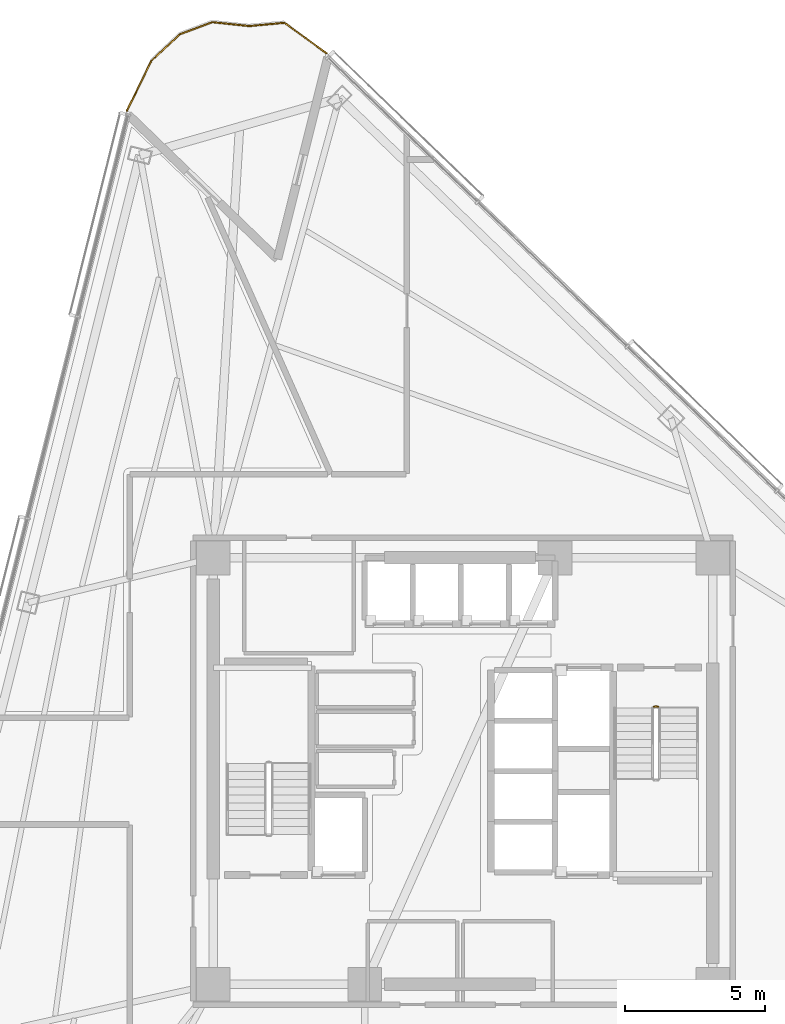
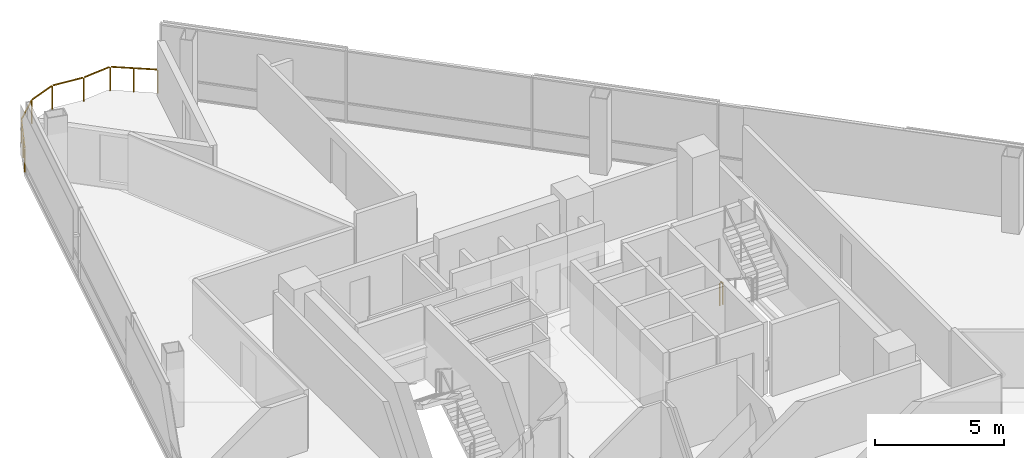
# One storey, part 16 of 16: 2 railings.
"""IFC4 building model written with IfcOpenShell, lengths in metres."""

from ifc_helpers import new_model, si_unit, direction, frame, origin, origin_2d, place, context, subcontext, project, spatial, rectangle, extrude, material, type_object, element, save


model = new_model("IFC4")

# Units and contexts
model_context = context("Model", 3, precision=1e-05, world=origin(), true_north=direction((0.0, 1.0)))
body_context = subcontext(model_context, "Body", "Model", "MODEL_VIEW")
ifc_project = project(units=[si_unit("LENGTHUNIT", "METRE"), si_unit("AREAUNIT", "SQUARE_METRE"), si_unit("VOLUMEUNIT", "CUBIC_METRE"), si_unit("PLANEANGLEUNIT", "RADIAN"), si_unit("MASSUNIT", "GRAM", prefix="KILO")], contexts=[model_context])

# Site, building, storey
site_placement = place(None, origin())
site = spatial("IfcSite", under=ifc_project, at=site_placement, CompositionType="ELEMENT")
building_placement = place(site_placement, origin())
building = spatial("IfcBuilding", under=site, at=building_placement, Name="Tharavind Bronze Gate", CompositionType="ELEMENT")
storey_placement = place(building_placement, frame((0.0, 0.0, 104.10009765625)))
storey = spatial("IfcBuildingStorey", under=building, at=storey_placement, Name="L26", CompositionType="ELEMENT", Elevation=104.10009765625)

# Railings
ifc_material_1 = material(Name="Brushed Bronze Alloy", Category="metal")
railing_type_1 = type_object("IfcRailingType", Name="STAIR WELL GUARD RAILING 1120", PredefinedType="GUARDRAIL", material=ifc_material_1)
railing_1_placement = place(storey_placement, frame((6.800048828125, 2.300048828125, 0.0)))
element("IfcRailing", 1, at=railing_1_placement, inside=storey, type_object=railing_type_1, Name="L26 ST2 stair guard 4", PredefinedType="GUARDRAIL", context=body_context, shape_type="SweptSolid", body=[
    extrude(rectangle(XDim=0.048095703125, YDim=0.048095703125, at=origin_2d()), frame((0.031982421875, 0.0, 1.09619140625), z_axis=(1.0, 0.0, 0.0), x_axis=(0.0, 1.0, 0.0)), (0.0, 0.0, 1.0), 0.0859375),
    extrude(rectangle(XDim=0.0400390625, YDim=0.0400390625, at=origin_2d()), origin(), (0.0, 0.0, 1.0), 1.068115234375),
    extrude(rectangle(XDim=0.0400390625, YDim=0.0400390625, at=origin_2d()), frame((0.14990234375, 0.0, 0.0)), (0.0, 0.0, 1.0), 1.068115234375),
])
ifc_material_2 = material(Name="Bronze Cap & Laminated Glass", Category="glass")
railing_type_2 = type_object("IfcRailingType", Name="TERRACE GLASS GUARD RAILING 1150", PredefinedType="GUARDRAIL", material=ifc_material_2)
railing_2_placement = place(storey_placement, frame((-11.977783203125, 23.548095703125, 0.0)))
element("IfcRailing", 2, at=railing_2_placement, inside=storey, type_object=railing_type_2, Name="L26 tree balcony guard railing", PredefinedType="GUARDRAIL", context=body_context, shape_type="SweptSolid", body=[
    extrude(rectangle(XDim=0.048095703125, YDim=0.048095703125, at=origin_2d()), frame((0.01416015625, 0.02880859375, 1.1259765625), z_axis=(0.441156065907, 0.897430401487, 0.0), x_axis=(-0.897430401487, 0.441156065907, 0.0)), (0.0, 0.0, 1.0), 1.90625),
    extrude(rectangle(XDim=0.048095703125, YDim=0.048095703125, at=origin_2d()), frame((0.892578125, 1.7900390625, 1.1259765625), z_axis=(0.730328135608, 0.683096489772, 0.0), x_axis=(-0.683096489772, 0.730328135608, 0.0)), (0.0, 0.0, 1.0), 1.3212890625),
    extrude(rectangle(XDim=0.048095703125, YDim=0.048095703125, at=origin_2d()), frame((1.910888671875, 2.7255859375, 1.1259765625), z_axis=(0.936134406694, 0.351642393071, 0.0), x_axis=(-0.351642393071, 0.936134406694, 0.0)), (0.0, 0.0, 1.0), 1.17333984375),
    extrude(rectangle(XDim=0.048095703125, YDim=0.048095703125, at=origin_2d()), frame((3.07080078125, 3.14599609375, 1.1259765625), z_axis=(0.994513494848, -0.104608358011, 0.0), x_axis=(0.104608358011, 0.994513494848, 0.0)), (0.0, 0.0, 1.0), 1.266357421875),
    extrude(rectangle(XDim=0.048095703125, YDim=0.048095703125, at=origin_2d()), frame((4.393798828125, 3.01318359375, 1.1259765625), z_axis=(0.995611027897, 0.093587825761, 0.0), x_axis=(-0.093587825761, 0.995611027897, 0.0)), (0.0, 0.0, 1.0), 1.190673828125),
    extrude(rectangle(XDim=0.048095703125, YDim=0.048095703125, at=origin_2d()), frame((5.63720703125, 3.10888671875, 1.1259765625), z_axis=(0.809873110724, -0.586605101006, 0.0), x_axis=(0.586605101006, 0.809873110724, 0.0)), (0.0, 0.0, 1.0), 1.79052734375),
    extrude(rectangle(XDim=0.0400390625, YDim=0.0400390625, at=origin_2d()), origin(), (0.0, 0.0, 1.0), 1.097900390625),
    extrude(rectangle(XDim=0.0400390625, YDim=0.0400390625, at=origin_2d()), frame((0.4345703125, 0.884033203125, 0.0)), (0.0, 0.0, 1.0), 1.097900390625),
    extrude(rectangle(XDim=0.0400390625, YDim=0.0400390625, at=origin_2d()), frame((0.869140625, 1.76806640625, 0.0)), (0.0, 0.0, 1.0), 1.097900390625),
    extrude(rectangle(XDim=0.0400390625, YDim=0.0400390625, at=origin_2d()), frame((1.880859375, 2.71435546875, 0.0)), (0.0, 0.0, 1.0), 1.097900390625),
    extrude(rectangle(XDim=0.0400390625, YDim=0.0400390625, at=origin_2d()), frame((3.0390625, 3.1494140625, 0.0)), (0.0, 0.0, 1.0), 1.097900390625),
    extrude(rectangle(XDim=0.0400390625, YDim=0.0400390625, at=origin_2d()), frame((4.362060546875, 3.01025390625, 0.0)), (0.0, 0.0, 1.0), 1.097900390625),
    extrude(rectangle(XDim=0.0400390625, YDim=0.0400390625, at=origin_2d()), frame((5.611328125, 3.127685546875, 0.0)), (0.0, 0.0, 1.0), 1.097900390625),
    extrude(rectangle(XDim=0.0400390625, YDim=0.0400390625, at=origin_2d()), frame((6.3623046875, 2.583740234375, 0.0)), (0.0, 0.0, 1.0), 1.097900390625),
    extrude(rectangle(XDim=0.0400390625, YDim=0.0400390625, at=origin_2d()), frame((7.11328125, 2.039794921875, 0.0)), (0.0, 0.0, 1.0), 1.097900390625),
])

save(model, "model.ifc")
